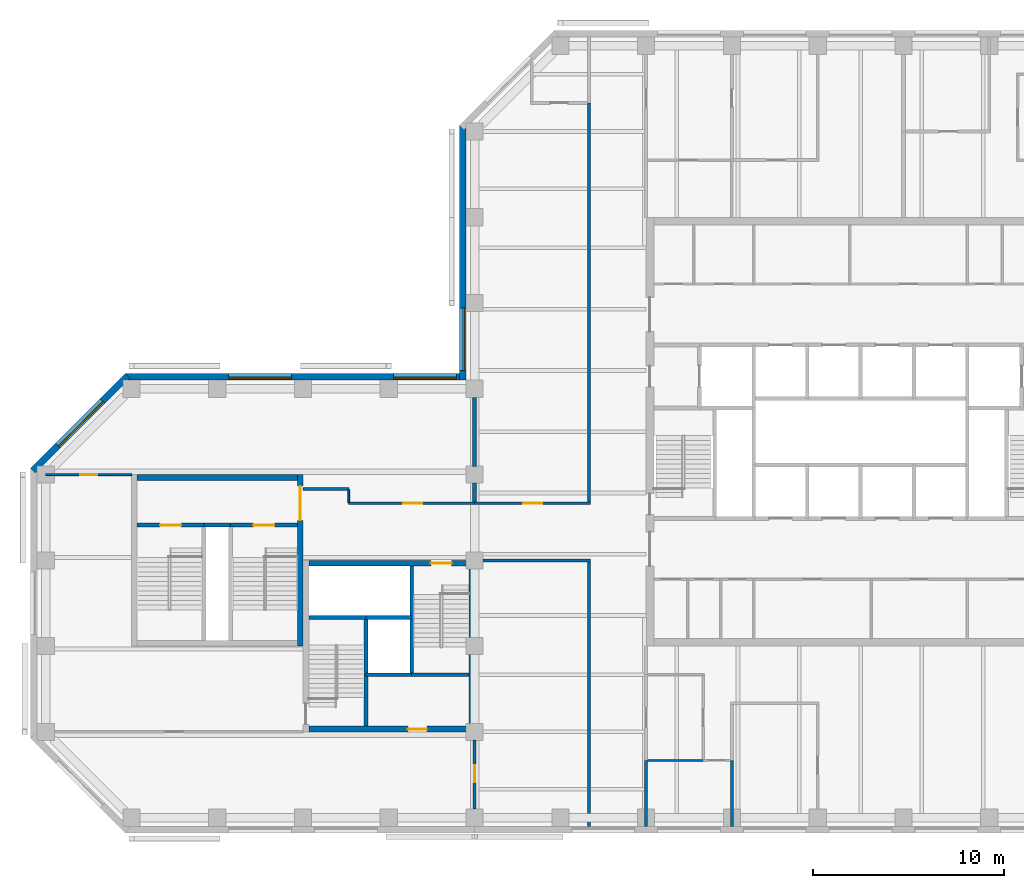
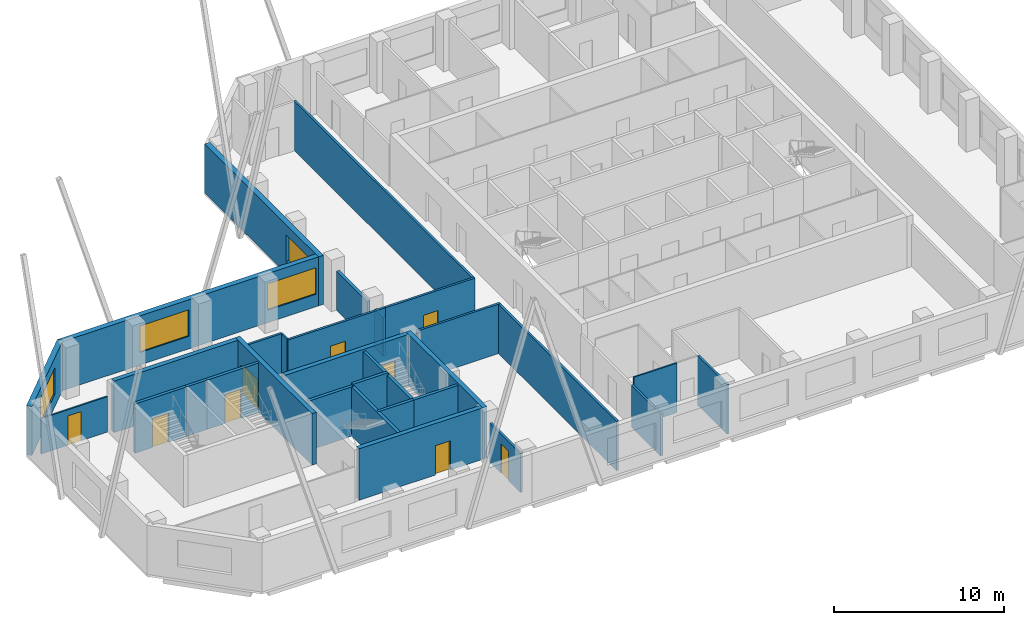
# One storey, part 3 of 9: 31 walls, 9 doors, 4 windows, 13 openings.
"""IFC4 building model written with IfcOpenShell, lengths in metres."""

from ifc_helpers import new_model, si_unit, direction, frame, frame_2d, origin, place, context, subcontext, project, spatial, rectangle, extrude, material, layer, layer_set, constituent, constituent_set, type_object, element, fill, save


model = new_model("IFC4")

# Units and contexts
model_context = context("Model", 3, precision=1e-05, world=origin(), true_north=direction((0.0, 1.0)))
body_context = subcontext(model_context, "Body", "Model", "MODEL_VIEW")
ifc_project = project(units=[si_unit("LENGTHUNIT", "METRE"), si_unit("AREAUNIT", "SQUARE_METRE"), si_unit("VOLUMEUNIT", "CUBIC_METRE"), si_unit("PLANEANGLEUNIT", "RADIAN"), si_unit("MASSUNIT", "GRAM", prefix="KILO")], contexts=[model_context])

# Site, building, storey
site_placement = place(None, origin())
site = spatial("IfcSite", under=ifc_project, at=site_placement, CompositionType="ELEMENT")
building_placement = place(site_placement, origin())
building = spatial("IfcBuilding", under=site, at=building_placement, Name="Quoin Convention Tower", CompositionType="ELEMENT")
storey_placement = place(building_placement, frame((0.0, 0.0, 173.60009765625)))
storey = spatial("IfcBuildingStorey", under=building, at=storey_placement, Name="L45", CompositionType="ELEMENT", Elevation=173.60009765625)

# Wall
ifc_material_1 = material(Name="Plasterboard")
ifc_layer_1 = layer(ifc_material_1, 0.012451171875, Name="Finish")
ifc_material_2 = material(Name="Steel stud framing", Category="steel")
ifc_layer_2 = layer(ifc_material_2, 0.125, Name="Structure")
ifc_layer_3 = layer(ifc_material_1, 0.012451171875, Name="Finish")
ifc_layer_set_1 = layer_set([ifc_layer_1, ifc_layer_2, ifc_layer_3], Name="Steel stud framing")
wall_type_1 = type_object("IfcWallType", Name="Acoustic partition 150", PredefinedType="PARTITIONING", material=ifc_layer_set_1)
wall_1_placement = place(storey_placement, frame((49.5, 40.050048828125, 0.0), z_axis=(0.0, 0.0, 1.0), x_axis=(0.0, 1.0, 0.0)))
element("IfcWall", 1, at=wall_1_placement, inside=storey, type_object=wall_type_1, Name="pw-L45-029", PredefinedType="PARTITIONING", context=body_context, shape_type="SweptSolid", body=[
    extrude(rectangle(XDim=3.449951171875, YDim=0.14990234375, at=frame_2d((1.72509765625, 0.0))), origin(), (0.0, 0.0, 1.0), 3.5498046875),
])

# Wall, opening, window
ifc_material_3 = material(Name="Brick masonry", Category="masonry")
ifc_layer_4 = layer(ifc_material_3, 0.35009765625)
ifc_layer_set_2 = layer_set([ifc_layer_4], Name="Brick masonry")
wall_type_2 = type_object("IfcWallType", Name="Brick facade wall", PredefinedType="STANDARD", material=ifc_layer_set_2)
wall_2_placement = place(storey_placement, frame((35.375, 76.831298828125, 0.0), z_axis=(0.0, 0.0, 1.0), x_axis=(0.0, -1.0, 0.0)))
wall_2 = element("IfcWall", 2, at=wall_2_placement, inside=storey, type_object=wall_type_2, Name="fw-L45-36000_76500", PredefinedType="STANDARD", context=body_context, shape_type="SweptSolid", body=[
    extrude(rectangle(XDim=13.38134765625, YDim=0.35009765625, at=frame_2d((6.690673828125, 0.0))), origin(), (0.0, 0.0, 1.0), 3.52490234375),
])
opening_1_placement = place(wall_2_placement, frame((9.581298828125, 0.0, 0.89990234375)))
opening_1 = element("IfcOpeningElement", 3, at=opening_1_placement, cuts=wall_2, Name="Opening W-02", PredefinedType="OPENING", context=body_context, shape_type="SweptSolid", body=[
    extrude(rectangle(XDim=3.300048828125, YDim=1.89990234375, at=frame_2d((1.64990234375, 0.949951171875))), frame((0.0, 0.18505859375, 0.0), z_axis=(0.0, -1.0, 0.0), x_axis=(1.0, 0.0, 0.0)), (0.0, 0.0, 1.0), 0.3701171875),
])
ifc_material_4 = material(Name="Aluminium", Category="aluminium")
ifc_constituent_1 = constituent(ifc_material_4, Name="Frame")
ifc_material_5 = material(Name="Insulated glass", Category="glass")
ifc_constituent_2 = constituent(ifc_material_5, Name="Glazing")
ifc_constituent_set = constituent_set(constituents=[ifc_constituent_1, ifc_constituent_2], Name="Aluminium")
window_type = type_object("IfcWindowType", Name="Office window", PartitioningType="DOUBLE_PANEL_VERTICAL", PredefinedType="WINDOW", material=ifc_constituent_set)
window_1_placement = place(opening_1_placement, origin())
window_1 = element("IfcWindow", 4, at=window_1_placement, inside=storey, type_object=window_type, Name="win-L45-35375_65250", OverallHeight=1.89990234375, OverallWidth=3.300048828125, PartitioningType="SINGLE_PANEL", PredefinedType="WINDOW", context=body_context, shape_type="SweptSolid", body=[
    extrude(rectangle(XDim=3.300048828125, YDim=1.89990234375, at=frame_2d((1.64990234375, 0.949951171875))), frame((0.0, 0.0849609375, 0.0), z_axis=(0.0, -1.0, 0.0), x_axis=(1.0, 0.0, 0.0)), (0.0, 0.0, 1.0), 0.06005859375),
])
fill(opening_1, window_1)

# Wall, openings, windows
wall_3_placement = place(storey_placement, frame((35.550048828125, 63.625, 0.0), z_axis=(0.0, 0.0, 1.0), x_axis=(-1.0, 0.0, 0.0)))
wall_3 = element("IfcWall", 5, at=wall_3_placement, inside=storey, type_object=wall_type_2, Name="fw-L45-36000_63000", PredefinedType="STANDARD", context=body_context, shape_type="SweptSolid", body=[
    extrude(rectangle(XDim=17.88134765625, YDim=0.35009765625, at=frame_2d((8.940673828125, 0.0))), origin(), (0.0, 0.0, 1.0), 3.52490234375),
])
opening_2_placement = place(wall_3_placement, frame((0.5, 0.0, 0.89990234375)))
opening_2 = element("IfcOpeningElement", 6, at=opening_2_placement, cuts=wall_3, Name="Opening W-02", PredefinedType="OPENING", context=body_context, shape_type="SweptSolid", body=[
    extrude(rectangle(XDim=3.300048828125, YDim=1.89990234375, at=frame_2d((1.64990234375, 0.949951171875))), frame((0.0, 0.18505859375, 0.0), z_axis=(0.0, -1.0, 0.0), x_axis=(1.0, 0.0, 0.0)), (0.0, 0.0, 1.0), 0.3701171875),
])
opening_3_placement = place(wall_3_placement, frame((9.14990234375, 0.0, 0.89990234375)))
opening_3 = element("IfcOpeningElement", 7, at=opening_3_placement, cuts=wall_3, Name="Opening W-02", PredefinedType="OPENING", context=body_context, shape_type="SweptSolid", body=[
    extrude(rectangle(XDim=3.300048828125, YDim=1.89990234375, at=frame_2d((1.64990234375, 0.949951171875))), frame((0.0, 0.18505859375, 0.0), z_axis=(0.0, -1.0, 0.0), x_axis=(1.0, 0.0, 0.0)), (0.0, 0.0, 1.0), 0.3701171875),
])
window_2_placement = place(opening_2_placement, origin())
window_2 = element("IfcWindow", 8, at=window_2_placement, inside=storey, type_object=window_type, Name="win-L45-33750_63625", OverallHeight=1.89990234375, OverallWidth=3.300048828125, PartitioningType="SINGLE_PANEL", PredefinedType="WINDOW", context=body_context, shape_type="SweptSolid", body=[
    extrude(rectangle(XDim=3.300048828125, YDim=1.89990234375, at=frame_2d((1.64990234375, 0.949951171875))), frame((0.0, 0.0849609375, 0.0), z_axis=(0.0, -1.0, 0.0), x_axis=(1.0, 0.0, 0.0)), (0.0, 0.0, 1.0), 0.06005859375),
])
fill(opening_2, window_2)
window_3_placement = place(opening_3_placement, origin())
window_3 = element("IfcWindow", 9, at=window_3_placement, inside=storey, type_object=window_type, Name="win-L45-24750_63625", OverallHeight=1.89990234375, OverallWidth=3.300048828125, PartitioningType="SINGLE_PANEL", PredefinedType="WINDOW", context=body_context, shape_type="SweptSolid", body=[
    extrude(rectangle(XDim=3.300048828125, YDim=1.89990234375, at=frame_2d((1.64990234375, 0.949951171875))), frame((0.0, 0.0849609375, 0.0), z_axis=(0.0, -1.0, 0.0), x_axis=(1.0, 0.0, 0.0)), (0.0, 0.0, 1.0), 0.06005859375),
])
fill(opening_3, window_3)

# Wall, opening, window
wall_4_placement = place(storey_placement, frame((17.79248046875, 63.67626953125, 0.0), z_axis=(0.0, 0.0, 1.0), x_axis=(-0.707106781187, -0.707106781187, 0.0)))
wall_4 = element("IfcWall", 10, at=wall_4_placement, inside=storey, type_object=wall_type_2, Name="fw-L45-18000_63000", PredefinedType="STANDARD", context=body_context, shape_type="SweptSolid", body=[
    extrude(rectangle(XDim=7.02685546875, YDim=0.35009765625, at=frame_2d((3.513427734375, 0.0))), origin(), (0.0, 0.0, 1.0), 3.52490234375),
])
opening_4_placement = place(wall_4_placement, frame((1.86328125, 0.0, 0.89990234375)))
opening_4 = element("IfcOpeningElement", 11, at=opening_4_placement, cuts=wall_4, Name="Opening W-02", PredefinedType="OPENING", context=body_context, shape_type="SweptSolid", body=[
    extrude(rectangle(XDim=3.300048828125, YDim=1.89990234375, at=frame_2d((1.64990234375, 0.949951171875))), frame((0.0, 0.18505859375, 0.0), z_axis=(0.0, -1.0, 0.0), x_axis=(1.0, 0.0, 0.0)), (0.0, 0.0, 1.0), 0.3701171875),
])
window_4_placement = place(opening_4_placement, origin())
window_4 = element("IfcWindow", 12, at=window_4_placement, inside=storey, type_object=window_type, Name="win-L45-15308_61192", OverallHeight=1.89990234375, OverallWidth=3.300048828125, PartitioningType="SINGLE_PANEL", PredefinedType="WINDOW", context=body_context, shape_type="SweptSolid", body=[
    extrude(rectangle(XDim=3.300048828125, YDim=1.89990234375, at=frame_2d((1.64990234375, 0.949951171875))), frame((0.0, 0.0849609375, 0.0), z_axis=(0.0, -1.0, 0.0), x_axis=(1.0, 0.0, 0.0)), (0.0, 0.0, 1.0), 0.06005859375),
])
fill(opening_4, window_4)

# Walls
ifc_material_6 = material(Name="Concrete C50", Category="concrete")
ifc_layer_5 = layer(ifc_material_6, 0.199951171875)
ifc_layer_set_3 = layer_set([ifc_layer_5], Name="Concrete C50")
wall_type_3 = type_object("IfcWallType", Name="Core shaft wall", PredefinedType="SOLIDWALL", material=ifc_layer_set_3)
wall_5_placement = place(storey_placement, frame((30.300048828125, 48.0, 0.0), z_axis=(0.0, 0.0, 1.0), x_axis=(1.0, 0.0, 0.0)))
element("IfcWall", 13, at=wall_5_placement, inside=storey, type_object=wall_type_3, Name="cr-P2-L45-h3000_3300", PredefinedType="SOLIDWALL", context=body_context, shape_type="SweptSolid", body=[
    extrude(rectangle(XDim=2.39990234375, YDim=0.199951171875, at=frame_2d((1.199951171875, 0.0))), origin(), (0.0, 0.0, 1.0), 3.5498046875),
])
for number, where, z_axis, x_axis, name in (
    (14, (32.699951171875, 48.0, 0.0), (0.0, 0.0, 1.0), (1.0, 0.0, 0.0), "cr-P2-L45-h3000_5700"),
    (15, (27.300048828125, 51.0, 0.0), (0.0, 0.0, 1.0), (1.0, 0.0, 0.0), "cr-P2-L45-h6000_300"),
):
    element("IfcWall", number, at=place(storey_placement, frame(where, z_axis=z_axis, x_axis=x_axis)), inside=storey, type_object=wall_type_3, Name=name, PredefinedType="SOLIDWALL", context=body_context, shape_type="SweptSolid", body=[
        extrude(rectangle(XDim=3.0, YDim=0.199951171875, at=frame_2d((1.5, 0.0))), origin(), (0.0, 0.0, 1.0), 3.5498046875),
    ])
for number, where, z_axis, x_axis, name in (
    (16, (30.300048828125, 45.300048828125, 0.0), (0.0, 0.0, 1.0), (0.0, 1.0, 0.0), "cr-P2-L45-v3300_300"),
    (17, (32.699951171875, 48.0, 0.0), (0.0, 0.0, 1.0), (0.0, 1.0, 0.0), "cr-P2-L45-v5700_3000"),
):
    element("IfcWall", number, at=place(storey_placement, frame(where, z_axis=z_axis, x_axis=x_axis)), inside=storey, type_object=wall_type_3, Name=name, PredefinedType="SOLIDWALL", context=body_context, shape_type="SweptSolid", body=[
        extrude(rectangle(XDim=5.699951171875, YDim=0.199951171875, at=frame_2d((2.85009765625, 0.0))), origin(), (0.0, 0.0, 1.0), 3.5498046875),
    ])
wall_6_placement = place(storey_placement, frame((21.800048828125, 55.85009765625, 0.0), z_axis=(0.0, 0.0, 1.0), x_axis=(1.0, 0.0, 0.0)))
element("IfcWall", 18, at=wall_6_placement, inside=storey, type_object=wall_type_3, Name="cr-P6-L45-h6350_3800", PredefinedType="SOLIDWALL", context=body_context, shape_type="SweptSolid", body=[
    extrude(rectangle(XDim=1.39990234375, YDim=0.199951171875, at=frame_2d((0.699951171875, 0.0))), origin(), (0.0, 0.0, 1.0), 3.5498046875),
])

# Wall, opening, door
wall_7_placement = place(storey_placement, frame((18.300048828125, 55.85009765625, 0.0), z_axis=(0.0, 0.0, 1.0), x_axis=(1.0, 0.0, 0.0)))
wall_7 = element("IfcWall", 19, at=wall_7_placement, inside=storey, type_object=wall_type_3, Name="cr-P6-L45-h6350_300", PredefinedType="SOLIDWALL", context=body_context, shape_type="SweptSolid", body=[
    extrude(rectangle(XDim=3.5, YDim=0.199951171875, at=frame_2d((1.75, 0.0))), origin(), (0.0, 0.0, 1.0), 3.5498046875),
])
opening_5_placement = place(wall_7_placement, frame((1.199951171875, 0.0, 0.0)))
opening_5 = element("IfcOpeningElement", 20, at=opening_5_placement, cuts=wall_7, Name="Opening SD11", PredefinedType="OPENING", context=body_context, shape_type="SweptSolid", body=[
    extrude(rectangle(XDim=1.10009765625, YDim=2.10009765625, at=frame_2d((0.550048828125, 1.050048828125))), frame((0.0, 0.10986328125, 0.0), z_axis=(0.0, -1.0, 0.0), x_axis=(1.0, 0.0, 0.0)), (0.0, 0.0, 1.0), 0.219970703125),
])
ifc_material_7 = material(Name="Steel door leaf", Category="steel")
door_type_1 = type_object("IfcDoorType", Name="Stair door 1100 x 2100", OperationType="SINGLE_SWING_RIGHT", PredefinedType="DOOR", material=ifc_material_7)
door_1_placement = place(opening_5_placement, origin())
door_1 = element("IfcDoor", 21, at=door_1_placement, inside=storey, type_object=door_type_1, Name="cd-P6-L45-SA-R2-SD11", OperationType="SINGLE_SWING_RIGHT", OverallHeight=2.10009765625, OverallWidth=1.10009765625, PredefinedType="DOOR", context=body_context, shape_type="SweptSolid", body=[
    extrude(rectangle(XDim=1.10009765625, YDim=2.10009765625, at=frame_2d((0.550048828125, 1.050048828125))), frame((0.0, 0.02490234375, 0.0), z_axis=(0.0, -1.0, 0.0), x_axis=(1.0, 0.0, 0.0)), (0.0, 0.0, 1.0), 0.050048828125),
])
fill(opening_5, door_1)

wall_8_placement = place(storey_placement, frame((23.199951171875, 55.85009765625, 0.0), z_axis=(0.0, 0.0, 1.0), x_axis=(1.0, 0.0, 0.0)))
wall_8 = element("IfcWall", 22, at=wall_8_placement, inside=storey, type_object=wall_type_3, Name="cr-P6-L45-h6350_5200", PredefinedType="SOLIDWALL", context=body_context, shape_type="SweptSolid", body=[
    extrude(rectangle(XDim=3.5, YDim=0.199951171875, at=frame_2d((1.75, 0.0))), origin(), (0.0, 0.0, 1.0), 3.5498046875),
])
opening_6_placement = place(wall_8_placement, frame((1.199951171875, 0.0, 0.0)))
opening_6 = element("IfcOpeningElement", 23, at=opening_6_placement, cuts=wall_8, Name="Opening SD12", PredefinedType="OPENING", context=body_context, shape_type="SweptSolid", body=[
    extrude(rectangle(XDim=1.10009765625, YDim=2.10009765625, at=frame_2d((0.550048828125, 1.050048828125))), frame((0.0, 0.10986328125, 0.0), z_axis=(0.0, -1.0, 0.0), x_axis=(1.0, 0.0, 0.0)), (0.0, 0.0, 1.0), 0.219970703125),
])
door_2_placement = place(opening_6_placement, origin())
door_2 = element("IfcDoor", 24, at=door_2_placement, inside=storey, type_object=door_type_1, Name="cd-P6-L45-SB-R2-SD12", OperationType="SINGLE_SWING_RIGHT", OverallHeight=2.10009765625, OverallWidth=1.10009765625, PredefinedType="DOOR", context=body_context, shape_type="SweptSolid", body=[
    extrude(rectangle(XDim=1.10009765625, YDim=2.10009765625, at=frame_2d((0.550048828125, 1.050048828125))), frame((0.0, 0.02490234375, 0.0), z_axis=(0.0, -1.0, 0.0), x_axis=(1.0, 0.0, 0.0)), (0.0, 0.0, 1.0), 0.050048828125),
])
fill(opening_6, door_2)

# Walls
ifc_layer_6 = layer(ifc_material_6, 0.199951171875)
ifc_layer_set_4 = layer_set([ifc_layer_6], Name="Concrete C50")
wall_type_4 = type_object("IfcWallType", Name="Core shaft wall to the floor level over", PredefinedType="SOLIDWALL", material=ifc_layer_set_4)
wall_9_placement = place(storey_placement, frame((30.300048828125, 51.0, 0.0), z_axis=(0.0, 0.0, 1.0), x_axis=(1.0, 0.0, 0.0)))
element("IfcWall", 25, at=wall_9_placement, inside=storey, type_object=wall_type_4, Name="cr-P2-L45-h6000_3300", PredefinedType="SOLIDWALL", context=body_context, shape_type="SweptSolid", body=[
    extrude(rectangle(XDim=2.39990234375, YDim=0.199951171875, at=frame_2d((1.199951171875, 0.0))), origin(), (0.0, 0.0, 1.0), 3.699951171875),
])
ifc_layer_7 = layer(ifc_material_1, 0.012451171875, Name="Finish")
ifc_layer_8 = layer(ifc_material_2, 0.125, Name="Structure")
ifc_layer_9 = layer(ifc_material_1, 0.012451171875, Name="Finish")
ifc_layer_set_5 = layer_set([ifc_layer_7, ifc_layer_8, ifc_layer_9], Name="Steel stud framing")
wall_type_5 = type_object("IfcWallType", Name="Corridor wall 150", PredefinedType="PARTITIONING", material=ifc_layer_set_5)
wall_10_placement = place(storey_placement, frame((36.449951171875, 54.0, 0.0), z_axis=(0.0, 0.0, 1.0), x_axis=(1.0, 0.0, 0.0)))
element("IfcWall", 26, at=wall_10_placement, inside=storey, type_object=wall_type_5, Name="pw-L45-014", PredefinedType="PARTITIONING", context=body_context, shape_type="SweptSolid", body=[
    extrude(rectangle(XDim=5.625, YDim=0.14990234375, at=frame_2d((2.8125, 0.0))), origin(), (0.0, 0.0, 1.0), 3.5498046875),
])

# Wall, opening, door
wall_11_placement = place(storey_placement, frame((29.3798828125, 57.0, 0.0), z_axis=(0.0, 0.0, 1.0), x_axis=(1.0, 0.0, 0.0)))
wall_11 = element("IfcWall", 27, at=wall_11_placement, inside=storey, type_object=wall_type_5, Name="pw-L45-015", PredefinedType="PARTITIONING", context=body_context, shape_type="SweptSolid", body=[
    extrude(rectangle(XDim=6.6201171875, YDim=0.14990234375, at=frame_2d((3.31005859375, 0.0))), origin(), (0.0, 0.0, 1.0), 3.5498046875),
])
opening_7_placement = place(wall_11_placement, frame((2.8798828125, 0.0, 0.0)))
opening_7 = element("IfcOpeningElement", 28, at=opening_7_placement, cuts=wall_11, Name="Opening DOH4-04", PredefinedType="OPENING", context=body_context, shape_type="SweptSolid", body=[
    extrude(rectangle(XDim=1.0, YDim=2.10009765625, at=frame_2d((0.5, 1.050048828125))), frame((0.0, 0.0849609375, 0.0), z_axis=(0.0, -1.0, 0.0), x_axis=(1.0, 0.0, 0.0)), (0.0, 0.0, 1.0), 0.169921875),
])
door_type_2 = type_object("IfcDoorType", Name="Tenancy entrance door 1000 x 2100", OperationType="DOUBLE_DOOR_SINGLE_SWING", PredefinedType="DOOR", material=ifc_material_7)
door_3_placement = place(opening_7_placement, origin())
door_3 = element("IfcDoor", 29, at=door_3_placement, inside=storey, type_object=door_type_2, Name="dr-L45-w01", OperationType="DOUBLE_DOOR_SINGLE_SWING", OverallHeight=2.10009765625, OverallWidth=1.0, PredefinedType="DOOR", context=body_context, shape_type="SweptSolid", body=[
    extrude(rectangle(XDim=1.0, YDim=2.10009765625, at=frame_2d((0.5, 1.050048828125))), frame((0.0, 0.02490234375, 0.0), z_axis=(0.0, -1.0, 0.0), x_axis=(1.0, 0.0, 0.0)), (0.0, 0.0, 1.0), 0.050048828125),
])
fill(opening_7, door_3)

wall_12_placement = place(storey_placement, frame((36.0, 57.0, 0.0), z_axis=(0.0, 0.0, 1.0), x_axis=(1.0, 0.0, 0.0)))
wall_12 = element("IfcWall", 30, at=wall_12_placement, inside=storey, type_object=wall_type_5, Name="pw-L45-016", PredefinedType="PARTITIONING", context=body_context, shape_type="SweptSolid", body=[
    extrude(rectangle(XDim=6.074951171875, YDim=0.14990234375, at=frame_2d((3.03759765625, 0.0))), origin(), (0.0, 0.0, 1.0), 3.5498046875),
])
opening_8_placement = place(wall_12_placement, frame((2.550048828125, 0.0, 0.0)))
opening_8 = element("IfcOpeningElement", 31, at=opening_8_placement, cuts=wall_12, Name="Opening DOH4-05", PredefinedType="OPENING", context=body_context, shape_type="SweptSolid", body=[
    extrude(rectangle(XDim=1.0, YDim=2.10009765625, at=frame_2d((0.5, 1.050048828125))), frame((0.0, 0.0849609375, 0.0), z_axis=(0.0, -1.0, 0.0), x_axis=(1.0, 0.0, 0.0)), (0.0, 0.0, 1.0), 0.169921875),
])
door_4_placement = place(opening_8_placement, origin())
door_4 = element("IfcDoor", 32, at=door_4_placement, inside=storey, type_object=door_type_2, Name="dr-L45-09", OperationType="DOUBLE_DOOR_SINGLE_SWING", OverallHeight=2.10009765625, OverallWidth=1.0, PredefinedType="DOOR", context=body_context, shape_type="SweptSolid", body=[
    extrude(rectangle(XDim=1.0, YDim=2.10009765625, at=frame_2d((0.5, 1.050048828125))), frame((0.0, 0.02490234375, 0.0), z_axis=(0.0, -1.0, 0.0), x_axis=(1.0, 0.0, 0.0)), (0.0, 0.0, 1.0), 0.050048828125),
])
fill(opening_8, door_4)

# Walls
wall_13_placement = place(storey_placement, frame((42.0, 40.050048828125, 0.0), z_axis=(0.0, 0.0, 1.0), x_axis=(0.0, 1.0, 0.0)))
element("IfcWall", 33, at=wall_13_placement, inside=storey, type_object=wall_type_5, Name="pw-L45-027", PredefinedType="PARTITIONING", context=body_context, shape_type="SweptSolid", body=[
    extrude(rectangle(XDim=13.875, YDim=0.14990234375, at=frame_2d((6.9375, 0.0))), origin(), (0.0, 0.0, 1.0), 3.5498046875),
])
wall_14_placement = place(storey_placement, frame((42.0, 57.074951171875, 0.0), z_axis=(0.0, 0.0, 1.0), x_axis=(0.0, 1.0, 0.0)))
element("IfcWall", 34, at=wall_14_placement, inside=storey, type_object=wall_type_5, Name="pw-L45-048", PredefinedType="PARTITIONING", context=body_context, shape_type="SweptSolid", body=[
    extrude(rectangle(XDim=20.925048828125, YDim=0.14990234375, at=frame_2d((10.46240234375, 0.0))), origin(), (0.0, 0.0, 1.0), 3.5498046875),
])
wall_15_placement = place(storey_placement, frame((27.0, 57.75, 0.0), z_axis=(0.0, 0.0, 1.0), x_axis=(1.0, 0.0, 0.0)))
element("IfcWall", 35, at=wall_15_placement, inside=storey, type_object=wall_type_5, Name="pw-L45-w03", PredefinedType="PARTITIONING", context=body_context, shape_type="SweptSolid", body=[
    extrude(rectangle(XDim=2.39990234375, YDim=0.14990234375, at=frame_2d((1.199951171875, 0.0))), origin(), (0.0, 0.0, 1.0), 3.5498046875),
])
ifc_layer_10 = layer(ifc_material_1, 0.012451171875, Name="Finish")
ifc_layer_11 = layer(ifc_material_2, 0.125, Name="Structure")
ifc_layer_12 = layer(ifc_material_1, 0.012451171875, Name="Finish")
ifc_layer_set_6 = layer_set([ifc_layer_10, ifc_layer_11, ifc_layer_12], Name="Steel stud framing")
wall_type_6 = type_object("IfcWallType", Name="Corridor wall 150 under beam 528", PredefinedType="PARTITIONING", material=ifc_layer_set_6)
wall_16_placement = place(storey_placement, frame((45.0, 40.050048828125, 0.0), z_axis=(0.0, 0.0, 1.0), x_axis=(0.0, 1.0, 0.0)))
element("IfcWall", 36, at=wall_16_placement, inside=storey, type_object=wall_type_6, Name="pw-L45-028", PredefinedType="PARTITIONING", context=body_context, shape_type="SweptSolid", body=[
    extrude(rectangle(XDim=3.449951171875, YDim=0.14990234375, at=frame_2d((1.72509765625, 0.0))), origin(), (0.0, 0.0, 1.0), 3.02197265625),
])

# Wall, opening, door
ifc_layer_13 = layer(ifc_material_1, 0.012451171875, Name="Finish")
ifc_layer_14 = layer(ifc_material_2, 0.125, Name="Structure")
ifc_layer_15 = layer(ifc_material_1, 0.012451171875, Name="Finish")
ifc_layer_set_7 = layer_set([ifc_layer_13, ifc_layer_14, ifc_layer_15], Name="Steel stud framing")
wall_type_7 = type_object("IfcWallType", Name="Corridor wall 150 under beam 750", PredefinedType="PARTITIONING", material=ifc_layer_set_7)
wall_17_placement = place(storey_placement, frame((36.0, 40.949951171875, 0.0), z_axis=(0.0, 0.0, 1.0), x_axis=(0.0, 1.0, 0.0)))
wall_17 = element("IfcWall", 37, at=wall_17_placement, inside=storey, type_object=wall_type_7, Name="pw-L45-033", PredefinedType="PARTITIONING", context=body_context, shape_type="SweptSolid", body=[
    extrude(rectangle(XDim=3.630126953125, YDim=0.14990234375, at=frame_2d((1.81494140625, 0.0))), origin(), (0.0, 0.0, 1.0), 2.7998046875),
])
opening_9_placement = place(wall_17_placement, frame((1.39990234375, 0.0, 0.0)))
opening_9 = element("IfcOpeningElement", 38, at=opening_9_placement, cuts=wall_17, Name="Opening DOH4-11", PredefinedType="OPENING", context=body_context, shape_type="SweptSolid", body=[
    extrude(rectangle(XDim=0.89990234375, YDim=2.10009765625, at=frame_2d((0.449951171875, 1.050048828125))), frame((0.0, 0.0849609375, 0.0), z_axis=(0.0, -1.0, 0.0), x_axis=(1.0, 0.0, 0.0)), (0.0, 0.0, 1.0), 0.169921875),
])
door_type_3 = type_object("IfcDoorType", Name="Office door 900 x 2100", OperationType="SINGLE_SWING_RIGHT", PredefinedType="DOOR", material=ifc_material_7)
door_5_placement = place(opening_9_placement, origin())
door_5 = element("IfcDoor", 39, at=door_5_placement, inside=storey, type_object=door_type_3, Name="dr-L45-01", OperationType="SINGLE_SWING_RIGHT", OverallHeight=2.10009765625, OverallWidth=0.89990234375, PredefinedType="DOOR", context=body_context, shape_type="SweptSolid", body=[
    extrude(rectangle(XDim=0.89990234375, YDim=2.10009765625, at=frame_2d((0.449951171875, 1.050048828125))), frame((0.0, 0.02490234375, 0.0), z_axis=(0.0, -1.0, 0.0), x_axis=(1.0, 0.0, 0.0)), (0.0, 0.0, 1.0), 0.050048828125),
])
fill(opening_9, door_5)

ifc_layer_16 = layer(ifc_material_6, 0.300048828125)
ifc_layer_set_8 = layer_set([ifc_layer_16], Name="Concrete C50")
wall_type_8 = type_object("IfcWallType", Name="RC CORE WALL 300 C50", PredefinedType="SHEAR", material=ifc_layer_set_8)
wall_18_placement = place(storey_placement, frame((27.300048828125, 45.14990234375, 0.0), z_axis=(0.0, 0.0, 1.0), x_axis=(1.0, 0.0, 0.0)))
wall_18 = element("IfcWall", 40, at=wall_18_placement, inside=storey, type_object=wall_type_8, Name="cwl-P2-L45-S", PredefinedType="SHEAR", context=body_context, shape_type="SweptSolid", body=[
    extrude(rectangle(XDim=8.39990234375, YDim=0.300048828125, at=frame_2d((4.199951171875, 0.0))), origin(), (0.0, 0.0, 1.0), 3.699951171875),
])
opening_10_placement = place(wall_18_placement, frame((5.199951171875, 0.0, 0.0)))
opening_10 = element("IfcOpeningElement", 41, at=opening_10_placement, cuts=wall_18, Name="Opening DCV3-41", PredefinedType="OPENING", context=body_context, shape_type="SweptSolid", body=[
    extrude(rectangle(XDim=1.0, YDim=2.10009765625, at=frame_2d((0.5, 1.050048828125))), frame((0.0, 0.159912109375, 0.0), z_axis=(0.0, -1.0, 0.0), x_axis=(1.0, 0.0, 0.0)), (0.0, 0.0, 1.0), 0.320068359375),
])
door_type_4 = type_object("IfcDoorType", Name="Service door 1000 x 2100", OperationType="SINGLE_SWING_LEFT", PredefinedType="DOOR", material=ifc_material_7)
door_6_placement = place(opening_10_placement, frame((1.0, 0.0, 0.0), z_axis=(0.0, 0.0, 1.0), x_axis=(-1.0, 0.0, 0.0)))
door_6 = element("IfcDoor", 42, at=door_6_placement, inside=storey, type_object=door_type_4, Name="cd-P2-L45-R2-S", OperationType="SINGLE_SWING_LEFT", OverallHeight=2.10009765625, OverallWidth=1.0, PredefinedType="DOOR", context=body_context, shape_type="SweptSolid", body=[
    extrude(rectangle(XDim=1.0, YDim=2.10009765625, at=frame_2d((0.5, 1.050048828125))), frame((0.0, 0.02490234375, 0.0), z_axis=(0.0, -1.0, 0.0), x_axis=(1.0, 0.0, 0.0)), (0.0, 0.0, 1.0), 0.050048828125),
])
fill(opening_10, door_6)

wall_19_placement = place(storey_placement, frame((27.300048828125, 53.85009765625, 0.0), z_axis=(0.0, 0.0, 1.0), x_axis=(1.0, 0.0, 0.0)))
wall_19 = element("IfcWall", 43, at=wall_19_placement, inside=storey, type_object=wall_type_8, Name="cwl-P2-L45-N", PredefinedType="SHEAR", context=body_context, shape_type="SweptSolid", body=[
    extrude(rectangle(XDim=8.39990234375, YDim=0.300048828125, at=frame_2d((4.199951171875, 0.0))), origin(), (0.0, 0.0, 1.0), 3.699951171875),
])
opening_11_placement = place(wall_19_placement, frame((6.39990234375, 0.0, 0.0)))
opening_11 = element("IfcOpeningElement", 44, at=opening_11_placement, cuts=wall_19, Name="Opening SD4", PredefinedType="OPENING", context=body_context, shape_type="SweptSolid", body=[
    extrude(rectangle(XDim=1.10009765625, YDim=2.10009765625, at=frame_2d((0.550048828125, 1.050048828125))), frame((0.0, 0.159912109375, 0.0), z_axis=(0.0, -1.0, 0.0), x_axis=(1.0, 0.0, 0.0)), (0.0, 0.0, 1.0), 0.320068359375),
])
door_7_placement = place(opening_11_placement, frame((1.10009765625, 0.0, 0.0), z_axis=(0.0, 0.0, 1.0), x_axis=(-1.0, 0.0, 0.0)))
door_7 = element("IfcDoor", 45, at=door_7_placement, inside=storey, type_object=door_type_1, Name="cd-P2-L45-SB-N", OperationType="SINGLE_SWING_LEFT", OverallHeight=2.10009765625, OverallWidth=1.10009765625, PredefinedType="DOOR", context=body_context, shape_type="SweptSolid", body=[
    extrude(rectangle(XDim=1.10009765625, YDim=2.10009765625, at=frame_2d((0.550048828125, 1.050048828125))), frame((0.0, 0.02490234375, 0.0), z_axis=(0.0, -1.0, 0.0), x_axis=(1.0, 0.0, 0.0)), (0.0, 0.0, 1.0), 0.050048828125),
])
fill(opening_11, door_7)

# Walls
wall_20_placement = place(storey_placement, frame((35.85009765625, 45.0, 0.0), z_axis=(0.0, 0.0, 1.0), x_axis=(0.0, 1.0, 0.0)))
element("IfcWall", 46, at=wall_20_placement, inside=storey, type_object=wall_type_8, Name="cwl-P2-L45-E", PredefinedType="SHEAR", context=body_context, shape_type="SweptSolid", body=[
    extrude(rectangle(XDim=9.0, YDim=0.300048828125, at=frame_2d((4.5, 0.0))), origin(), (0.0, 0.0, 1.0), 3.699951171875),
])
wall_21_placement = place(storey_placement, frame((18.300048828125, 58.35009765625, 0.0), z_axis=(0.0, 0.0, 1.0), x_axis=(1.0, 0.0, 0.0)))
element("IfcWall", 47, at=wall_21_placement, inside=storey, type_object=wall_type_8, Name="cwl-P6-L45-N", PredefinedType="SHEAR", context=body_context, shape_type="SweptSolid", body=[
    extrude(rectangle(XDim=8.39990234375, YDim=0.300048828125, at=frame_2d((4.199951171875, 0.0))), origin(), (0.0, 0.0, 1.0), 3.699951171875),
])

# Wall, opening, door
wall_22_placement = place(storey_placement, frame((26.85009765625, 49.5, 0.0), z_axis=(0.0, 0.0, 1.0), x_axis=(0.0, 1.0, 0.0)))
wall_22 = element("IfcWall", 48, at=wall_22_placement, inside=storey, type_object=wall_type_8, Name="cwl-P6-L45-E", PredefinedType="SHEAR", context=body_context, shape_type="SweptSolid", body=[
    extrude(rectangle(XDim=9.0, YDim=0.300048828125, at=frame_2d((4.5, 0.0))), origin(), (0.0, 0.0, 1.0), 3.699951171875),
])
opening_12_placement = place(wall_22_placement, frame((6.60009765625, 0.0, 0.0)))
opening_12 = element("IfcOpeningElement", 49, at=opening_12_placement, cuts=wall_22, Name="Opening DCV3-44", PredefinedType="OPENING", context=body_context, shape_type="SweptSolid", body=[
    extrude(rectangle(XDim=1.800048828125, YDim=2.10009765625, at=frame_2d((0.89990234375, 1.050048828125))), frame((0.0, 0.159912109375, 0.0), z_axis=(0.0, -1.0, 0.0), x_axis=(1.0, 0.0, 0.0)), (0.0, 0.0, 1.0), 0.320068359375),
])
door_type_5 = type_object("IfcDoorType", Name="Goods lobby door 1800 x 2100", OperationType="SINGLE_SWING_LEFT", PredefinedType="DOOR", material=ifc_material_7)
door_8_placement = place(opening_12_placement, origin())
door_8 = element("IfcDoor", 50, at=door_8_placement, inside=storey, type_object=door_type_5, Name="cd-P6-L45-R2-E", OperationType="SINGLE_SWING_LEFT", OverallHeight=2.10009765625, OverallWidth=1.800048828125, PredefinedType="DOOR", context=body_context, shape_type="SweptSolid", body=[
    extrude(rectangle(XDim=1.800048828125, YDim=2.10009765625, at=frame_2d((0.89990234375, 1.050048828125))), frame((0.0, 0.02490234375, 0.0), z_axis=(0.0, -1.0, 0.0), x_axis=(1.0, 0.0, 0.0)), (0.0, 0.0, 1.0), 0.050048828125),
])
fill(opening_12, door_8)

# Walls
ifc_layer_17 = layer(ifc_material_1, 0.012451171875, Name="Finish")
ifc_layer_18 = layer(ifc_material_2, 0.074951171875, Name="Structure")
ifc_layer_19 = layer(ifc_material_1, 0.012451171875, Name="Finish")
ifc_layer_set_9 = layer_set([ifc_layer_17, ifc_layer_18, ifc_layer_19], Name="Steel stud framing")
wall_type_9 = type_object("IfcWallType", Name="Stud partition 100", PredefinedType="PARTITIONING", material=ifc_layer_set_9)
wall_23_placement = place(storey_placement, frame((45.074951171875, 43.5, 0.0), z_axis=(0.0, 0.0, 1.0), x_axis=(1.0, 0.0, 0.0)))
element("IfcWall", 51, at=wall_23_placement, inside=storey, type_object=wall_type_9, Name="pw-L45-002", PredefinedType="PARTITIONING", context=body_context, shape_type="SweptSolid", body=[
    extrude(rectangle(XDim=2.925048828125, YDim=0.10009765625, at=frame_2d((1.46240234375, 0.0))), origin(), (0.0, 0.0, 1.0), 3.5498046875),
])
wall_24_placement = place(storey_placement, frame((29.39990234375, 57.715087890625, 0.0), z_axis=(0.0, 0.0, 1.0), x_axis=(0.0, -1.0, 0.0)))
element("IfcWall", 52, at=wall_24_placement, inside=storey, type_object=wall_type_9, Name="pw-L45-w04", PredefinedType="PARTITIONING", context=body_context, shape_type="SweptSolid", body=[
    extrude(rectangle(XDim=0.68017578125, YDim=0.10009765625, at=frame_2d((0.340087890625, 0.0))), origin(), (0.0, 0.0, 1.0), 3.5498046875),
])

# Wall, opening, door
ifc_layer_20 = layer(ifc_material_1, 0.012451171875, Name="Finish")
ifc_layer_21 = layer(ifc_material_2, 0.074951171875, Name="Structure")
ifc_layer_22 = layer(ifc_material_1, 0.012451171875, Name="Finish")
ifc_layer_set_10 = layer_set([ifc_layer_20, ifc_layer_21, ifc_layer_22], Name="Steel stud framing")
wall_type_10 = type_object("IfcWallType", Name="Stud partition 100 under beam 1000", PredefinedType="PARTITIONING", material=ifc_layer_set_10)
wall_25_placement = place(storey_placement, frame((13.5, 58.5, 0.0), z_axis=(0.0, 0.0, 1.0), x_axis=(1.0, 0.0, 0.0)))
wall_25 = element("IfcWall", 53, at=wall_25_placement, inside=storey, type_object=wall_type_10, Name="pw-L45-w01", PredefinedType="PARTITIONING", context=body_context, shape_type="SweptSolid", body=[
    extrude(rectangle(XDim=4.5, YDim=0.10009765625, at=frame_2d((2.25, 0.0))), origin(), (0.0, 0.0, 1.0), 2.5498046875),
])
opening_13_placement = place(wall_25_placement, frame((1.800048828125, 0.0, 0.0)))
opening_13 = element("IfcOpeningElement", 54, at=opening_13_placement, cuts=wall_25, Name="Opening DOH4-20", PredefinedType="OPENING", context=body_context, shape_type="SweptSolid", body=[
    extrude(rectangle(XDim=0.89990234375, YDim=2.10009765625, at=frame_2d((0.449951171875, 1.050048828125))), frame((0.0, 0.06005859375, 0.0), z_axis=(0.0, -1.0, 0.0), x_axis=(1.0, 0.0, 0.0)), (0.0, 0.0, 1.0), 0.1201171875),
])
door_9_placement = place(opening_13_placement, origin())
door_9 = element("IfcDoor", 55, at=door_9_placement, inside=storey, type_object=door_type_3, Name="dr-L45-w02", OperationType="SINGLE_SWING_RIGHT", OverallHeight=2.10009765625, OverallWidth=0.89990234375, PredefinedType="DOOR", context=body_context, shape_type="SweptSolid", body=[
    extrude(rectangle(XDim=0.89990234375, YDim=2.10009765625, at=frame_2d((0.449951171875, 1.050048828125))), frame((0.0, 0.02490234375, 0.0), z_axis=(0.0, -1.0, 0.0), x_axis=(1.0, 0.0, 0.0)), (0.0, 0.0, 1.0), 0.050048828125),
])
fill(opening_13, door_9)

# Walls
ifc_layer_23 = layer(ifc_material_1, 0.012451171875, Name="Finish")
ifc_layer_24 = layer(ifc_material_2, 0.175048828125, Name="Structure")
ifc_layer_25 = layer(ifc_material_1, 0.012451171875, Name="Finish")
ifc_layer_set_11 = layer_set([ifc_layer_23, ifc_layer_24, ifc_layer_25], Name="Steel stud framing")
wall_type_11 = type_object("IfcWallType", Name="Tenancy demising wall 200 under beam 750", PredefinedType="PARTITIONING", material=ifc_layer_set_11)
wall_26_placement = place(storey_placement, frame((36.0, 57.074951171875, 0.0), z_axis=(0.0, 0.0, 1.0), x_axis=(0.0, 1.0, 0.0)))
element("IfcWall", 56, at=wall_26_placement, inside=storey, type_object=wall_type_11, Name="pw-L45-047", PredefinedType="PARTITIONING", context=body_context, shape_type="SweptSolid", body=[
    extrude(rectangle(XDim=0.97509765625, YDim=0.199951171875, at=frame_2d((0.487548828125, 0.0))), origin(), (0.0, 0.0, 1.0), 2.7998046875),
])
wall_27_placement = place(storey_placement, frame((36.0, 58.919921875, 0.0), z_axis=(0.0, 0.0, 1.0), x_axis=(0.0, 1.0, 0.0)))
element("IfcWall", 57, at=wall_27_placement, inside=storey, type_object=wall_type_11, Name="pw-L45-049", PredefinedType="PARTITIONING", context=body_context, shape_type="SweptSolid", body=[
    extrude(rectangle(XDim=3.630126953125, YDim=0.199951171875, at=frame_2d((1.81494140625, 0.0))), origin(), (0.0, 0.0, 1.0), 2.7998046875),
])

save(model, "model.ifc")
